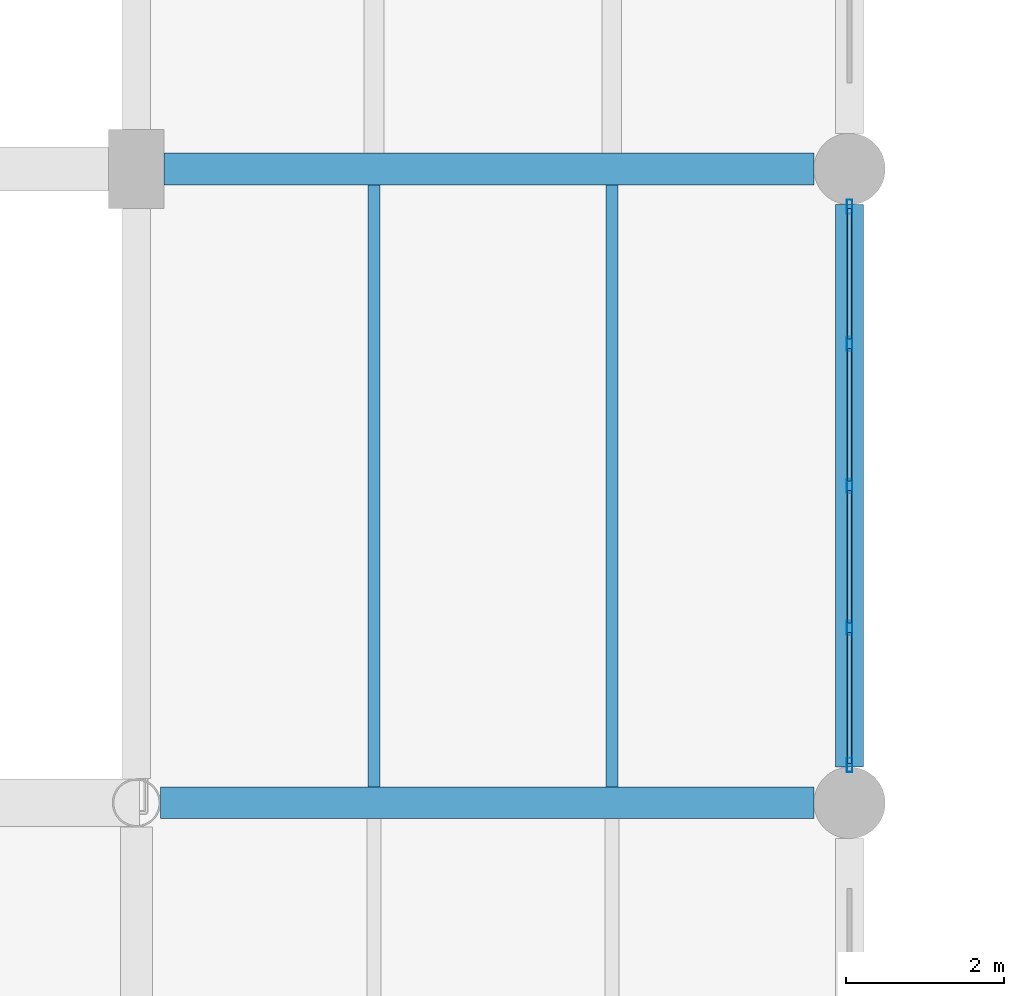
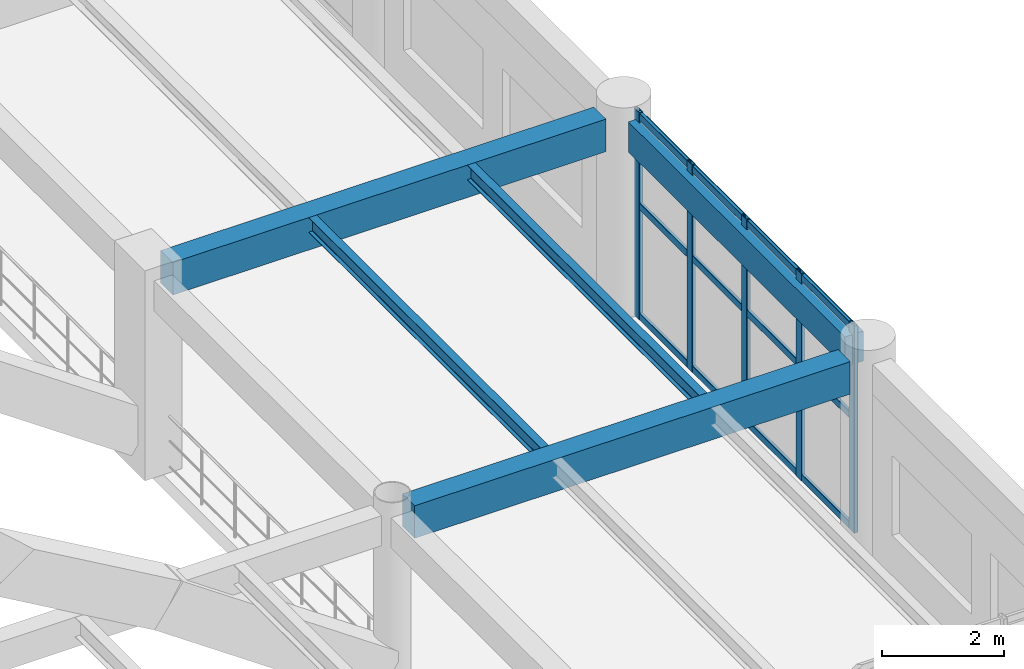
# One storey, part 46 of 148: 17 members, 5 beams, 1 element without a shape of its own.
"""IFC4 building model written with IfcOpenShell, lengths in metres."""

from ifc_helpers import new_model, si_unit, derived_unit, direction, frame, origin, origin_2d, place, context, subcontext, project, spatial, rectangle, hollow_rectangle, i_section, extrude, material, material_profile, profile_set, type_object, element, aggregate, save


model = new_model("IFC4")

# Units and contexts
model_context = context("Model", 3, precision=1e-05, world=origin(), true_north=direction((0.0, 1.0)))
body_context = subcontext(model_context, "Body", "Model", "MODEL_VIEW")
ifc_project = project(units=[si_unit("LENGTHUNIT", "METRE"), si_unit("AREAUNIT", "SQUARE_METRE"), si_unit("VOLUMEUNIT", "CUBIC_METRE"), si_unit("PLANEANGLEUNIT", "RADIAN"), si_unit("MASSUNIT", "GRAM", prefix="KILO"), derived_unit("THERMALTRANSMITTANCEUNIT", [(si_unit("MASSUNIT", "GRAM", prefix="KILO"), 1), (si_unit("TIMEUNIT", "SECOND"), -3), (si_unit("THERMODYNAMICTEMPERATUREUNIT", "KELVIN"), -1)])], contexts=[model_context])

# Site, building, storey
site_placement = place(None, origin())
site = spatial("IfcSite", under=ifc_project, at=site_placement, CompositionType="ELEMENT")
building_placement = place(site_placement, origin())
building = spatial("IfcBuilding", under=site, at=building_placement, Name="Zhenchuan Archway Interchange", CompositionType="ELEMENT")
storey_placement = place(building_placement, frame((0.0, 0.0, 10.199951171875)))
storey = spatial("IfcBuildingStorey", under=building, at=storey_placement, Name="L02", CompositionType="ELEMENT", Elevation=10.199951171875)

# Beams
ifc_material_1 = material(Name="Concrete C40", Category="concrete")
ifc_material_profile_1 = material_profile(ifc_material_1, rectangle(XDim=0.39990234375, YDim=0.64990234375, at=origin_2d()), Name="RC 400x650")
ifc_profile_set_1 = profile_set([ifc_material_profile_1], Name="Concrete C40")
beam_type_1 = type_object("IfcBeamType", Name="BM_RC_400x650", PredefinedType="BEAM", material=ifc_profile_set_1)
beam_1_placement = place(storey_placement, frame((63.304931640625, 32.0, 3.614990234375), z_axis=(1.0, 0.0, 0.0), x_axis=(0.0, 1.0, 0.0)))
element("IfcBeam", 1, at=beam_1_placement, inside=storey, type_object=beam_type_1, Name="Beam E:8-9 (L02)", PredefinedType="BEAM", context=body_context, shape_type="SweptSolid", body=[
    extrude(rectangle(XDim=0.39990234375, YDim=0.64990234375, at=origin_2d()), origin(), (0.0, 0.0, 1.0), 8.2451171875),
])
beam_2_placement = place(storey_placement, frame((63.35009765625, 40.0, 3.614990234375), z_axis=(1.0, 0.0, 0.0), x_axis=(0.0, 1.0, 0.0)))
element("IfcBeam", 2, at=beam_2_placement, inside=storey, type_object=beam_type_1, Name="Beam F:8-9 (L02)", PredefinedType="BEAM", context=body_context, shape_type="SweptSolid", body=[
    extrude(rectangle(XDim=0.39990234375, YDim=0.64990234375, at=origin_2d()), origin(), (0.0, 0.0, 1.0), 8.199951171875),
])

# Curtain wall, members
ifc_material_2 = material(Name="Anodised Aluminium", Category="aluminium")
curtain_wall_type = type_object("IfcCurtainWallType", Name="CW_UNIT_3", PredefinedType="NOTDEFINED", material=ifc_material_2)
curtain_wall_placement = place(storey_placement, origin())
curtain_wall = element("IfcCurtainWall", 3, at=curtain_wall_placement, inside=storey, type_object=curtain_wall_type, Name="Unitised curtain wall CW:L02:122", PredefinedType="NOTDEFINED")
ifc_material_profile_2 = material_profile(ifc_material_2, hollow_rectangle(XDim=0.070068359375, YDim=0.179931640625, WallThickness=0.00390625, InnerFilletRadius=0.00390625, OuterFilletRadius=0.008056640625, at=origin_2d()), Name="ALU 180x70x4")
ifc_profile_set_2 = profile_set([ifc_material_profile_2], Name="Anodised Aluminium")
member_type_1 = type_object("IfcMemberType", Name="CW_MUL_180", PredefinedType="MULLION", material=ifc_profile_set_2)
member_1_placement = place(storey_placement, frame((72.0, 39.52294921875, 0.0), z_axis=(0.0, 0.0, 1.0), x_axis=(1.0, 0.0, 0.0)))
member_1 = element("IfcMember", 4, at=member_1_placement, type_object=member_type_1, Name="CW:L02:122 mullion 0", PredefinedType="MULLION", context=body_context, shape_type="SweptSolid", body=[
    extrude(hollow_rectangle(XDim=0.070068359375, YDim=0.179931640625, WallThickness=0.00390625, InnerFilletRadius=0.00390625, OuterFilletRadius=0.008056640625, at=origin_2d()), origin(), (0.0, 0.0, 1.0), 4.14013671875),
])
member_2_placement = place(storey_placement, frame((72.0, 37.79150390625, 0.0), z_axis=(0.0, 0.0, 1.0), x_axis=(1.0, 0.0, 0.0)))
member_2 = element("IfcMember", 5, at=member_2_placement, type_object=member_type_1, Name="CW:L02:122 mullion 1", PredefinedType="MULLION", context=body_context, shape_type="SweptSolid", body=[
    extrude(hollow_rectangle(XDim=0.070068359375, YDim=0.179931640625, WallThickness=0.00390625, InnerFilletRadius=0.00390625, OuterFilletRadius=0.008056640625, at=origin_2d()), origin(), (0.0, 0.0, 1.0), 4.14013671875),
])
member_3_placement = place(storey_placement, frame((72.0, 36.0, 0.0), z_axis=(0.0, 0.0, 1.0), x_axis=(1.0, 0.0, 0.0)))
member_3 = element("IfcMember", 6, at=member_3_placement, type_object=member_type_1, Name="CW:L02:122 mullion 2", PredefinedType="MULLION", context=body_context, shape_type="SweptSolid", body=[
    extrude(hollow_rectangle(XDim=0.070068359375, YDim=0.179931640625, WallThickness=0.00390625, InnerFilletRadius=0.00390625, OuterFilletRadius=0.008056640625, at=origin_2d()), origin(), (0.0, 0.0, 1.0), 4.14013671875),
])
member_4_placement = place(storey_placement, frame((72.0, 34.20849609375, 0.0), z_axis=(0.0, 0.0, 1.0), x_axis=(1.0, 0.0, 0.0)))
member_4 = element("IfcMember", 7, at=member_4_placement, type_object=member_type_1, Name="CW:L02:122 mullion 3", PredefinedType="MULLION", context=body_context, shape_type="SweptSolid", body=[
    extrude(hollow_rectangle(XDim=0.070068359375, YDim=0.179931640625, WallThickness=0.00390625, InnerFilletRadius=0.00390625, OuterFilletRadius=0.008056640625, at=origin_2d()), origin(), (0.0, 0.0, 1.0), 4.14013671875),
])
member_5_placement = place(storey_placement, frame((72.0, 32.47705078125, 0.0), z_axis=(0.0, 0.0, 1.0), x_axis=(1.0, 0.0, 0.0)))
member_5 = element("IfcMember", 8, at=member_5_placement, type_object=member_type_1, Name="CW:L02:122 mullion 4", PredefinedType="MULLION", context=body_context, shape_type="SweptSolid", body=[
    extrude(hollow_rectangle(XDim=0.070068359375, YDim=0.179931640625, WallThickness=0.00390625, InnerFilletRadius=0.00390625, OuterFilletRadius=0.008056640625, at=origin_2d()), origin(), (0.0, 0.0, 1.0), 4.14013671875),
])
ifc_material_profile_3 = material_profile(ifc_material_2, hollow_rectangle(XDim=0.06005859375, YDim=0.139892578125, WallThickness=0.00341796875, InnerFilletRadius=0.00341796875, OuterFilletRadius=0.007080078125, at=origin_2d()), Name="ALU 140x60x3.5")
ifc_profile_set_3 = profile_set([ifc_material_profile_3], Name="Anodised Aluminium")
member_type_2 = type_object("IfcMemberType", Name="CW_TRN_140", PredefinedType="USERDEFINED", material=ifc_profile_set_3)
member_6_placement = place(storey_placement, frame((72.0, 39.5029296875, 0.06005859375), z_axis=(0.0, -1.0, 0.0), x_axis=(1.0, 0.0, 0.0)))
member_6 = element("IfcMember", 9, at=member_6_placement, type_object=member_type_2, Name="CW:L02:122 transom 0-1", ObjectType="TRANSOM", PredefinedType="USERDEFINED", context=body_context, shape_type="SweptSolid", body=[
    extrude(hollow_rectangle(XDim=0.06005859375, YDim=0.139892578125, WallThickness=0.00341796875, InnerFilletRadius=0.00341796875, OuterFilletRadius=0.007080078125, at=origin_2d()), origin(), (0.0, 0.0, 1.0), 1.6513671875),
])
member_7_placement = place(storey_placement, frame((72.0, 39.5029296875, 2.26611328125), z_axis=(0.0, -1.0, 0.0), x_axis=(1.0, 0.0, 0.0)))
member_7 = element("IfcMember", 10, at=member_7_placement, type_object=member_type_2, Name="CW:L02:122 transom 0-2", ObjectType="TRANSOM", PredefinedType="USERDEFINED", context=body_context, shape_type="SweptSolid", body=[
    extrude(hollow_rectangle(XDim=0.06005859375, YDim=0.139892578125, WallThickness=0.00341796875, InnerFilletRadius=0.00341796875, OuterFilletRadius=0.007080078125, at=origin_2d()), origin(), (0.0, 0.0, 1.0), 1.6513671875),
])
member_8_placement = place(storey_placement, frame((72.0, 39.5029296875, 4.06005859375), z_axis=(0.0, -1.0, 0.0), x_axis=(1.0, 0.0, 0.0)))
member_8 = element("IfcMember", 11, at=member_8_placement, type_object=member_type_2, Name="CW:L02:122 transom 0-3", ObjectType="TRANSOM", PredefinedType="USERDEFINED", context=body_context, shape_type="SweptSolid", body=[
    extrude(hollow_rectangle(XDim=0.06005859375, YDim=0.139892578125, WallThickness=0.00341796875, InnerFilletRadius=0.00341796875, OuterFilletRadius=0.007080078125, at=origin_2d()), origin(), (0.0, 0.0, 1.0), 1.6513671875),
])
member_9_placement = place(storey_placement, frame((72.0, 37.7314453125, 0.06005859375), z_axis=(0.0, -1.0, 0.0), x_axis=(1.0, 0.0, 0.0)))
member_9 = element("IfcMember", 12, at=member_9_placement, type_object=member_type_2, Name="CW:L02:122 transom 1-1", ObjectType="TRANSOM", PredefinedType="USERDEFINED", context=body_context, shape_type="SweptSolid", body=[
    extrude(hollow_rectangle(XDim=0.06005859375, YDim=0.139892578125, WallThickness=0.00341796875, InnerFilletRadius=0.00341796875, OuterFilletRadius=0.007080078125, at=origin_2d()), origin(), (0.0, 0.0, 1.0), 1.67138671875),
])
member_10_placement = place(storey_placement, frame((72.0, 37.7314453125, 2.26611328125), z_axis=(0.0, -1.0, 0.0), x_axis=(1.0, 0.0, 0.0)))
member_10 = element("IfcMember", 13, at=member_10_placement, type_object=member_type_2, Name="CW:L02:122 transom 1-2", ObjectType="TRANSOM", PredefinedType="USERDEFINED", context=body_context, shape_type="SweptSolid", body=[
    extrude(hollow_rectangle(XDim=0.06005859375, YDim=0.139892578125, WallThickness=0.00341796875, InnerFilletRadius=0.00341796875, OuterFilletRadius=0.007080078125, at=origin_2d()), origin(), (0.0, 0.0, 1.0), 1.67138671875),
])
member_11_placement = place(storey_placement, frame((72.0, 37.7314453125, 4.06005859375), z_axis=(0.0, -1.0, 0.0), x_axis=(1.0, 0.0, 0.0)))
member_11 = element("IfcMember", 14, at=member_11_placement, type_object=member_type_2, Name="CW:L02:122 transom 1-3", ObjectType="TRANSOM", PredefinedType="USERDEFINED", context=body_context, shape_type="SweptSolid", body=[
    extrude(hollow_rectangle(XDim=0.06005859375, YDim=0.139892578125, WallThickness=0.00341796875, InnerFilletRadius=0.00341796875, OuterFilletRadius=0.007080078125, at=origin_2d()), origin(), (0.0, 0.0, 1.0), 1.67138671875),
])
member_12_placement = place(storey_placement, frame((72.0, 35.93994140625, 0.06005859375), z_axis=(0.0, -1.0, 0.0), x_axis=(1.0, 0.0, 0.0)))
member_12 = element("IfcMember", 15, at=member_12_placement, type_object=member_type_2, Name="CW:L02:122 transom 2-1", ObjectType="TRANSOM", PredefinedType="USERDEFINED", context=body_context, shape_type="SweptSolid", body=[
    extrude(hollow_rectangle(XDim=0.06005859375, YDim=0.139892578125, WallThickness=0.00341796875, InnerFilletRadius=0.00341796875, OuterFilletRadius=0.007080078125, at=origin_2d()), origin(), (0.0, 0.0, 1.0), 1.67138671875),
])
member_13_placement = place(storey_placement, frame((72.0, 35.93994140625, 2.26611328125), z_axis=(0.0, -1.0, 0.0), x_axis=(1.0, 0.0, 0.0)))
member_13 = element("IfcMember", 16, at=member_13_placement, type_object=member_type_2, Name="CW:L02:122 transom 2-2", ObjectType="TRANSOM", PredefinedType="USERDEFINED", context=body_context, shape_type="SweptSolid", body=[
    extrude(hollow_rectangle(XDim=0.06005859375, YDim=0.139892578125, WallThickness=0.00341796875, InnerFilletRadius=0.00341796875, OuterFilletRadius=0.007080078125, at=origin_2d()), origin(), (0.0, 0.0, 1.0), 1.67138671875),
])
member_14_placement = place(storey_placement, frame((72.0, 35.93994140625, 4.06005859375), z_axis=(0.0, -1.0, 0.0), x_axis=(1.0, 0.0, 0.0)))
member_14 = element("IfcMember", 17, at=member_14_placement, type_object=member_type_2, Name="CW:L02:122 transom 2-3", ObjectType="TRANSOM", PredefinedType="USERDEFINED", context=body_context, shape_type="SweptSolid", body=[
    extrude(hollow_rectangle(XDim=0.06005859375, YDim=0.139892578125, WallThickness=0.00341796875, InnerFilletRadius=0.00341796875, OuterFilletRadius=0.007080078125, at=origin_2d()), origin(), (0.0, 0.0, 1.0), 1.67138671875),
])
member_15_placement = place(storey_placement, frame((72.0, 34.1484375, 0.06005859375), z_axis=(0.0, -1.0, 0.0), x_axis=(1.0, 0.0, 0.0)))
member_15 = element("IfcMember", 18, at=member_15_placement, type_object=member_type_2, Name="CW:L02:122 transom 3-1", ObjectType="TRANSOM", PredefinedType="USERDEFINED", context=body_context, shape_type="SweptSolid", body=[
    extrude(hollow_rectangle(XDim=0.06005859375, YDim=0.139892578125, WallThickness=0.00341796875, InnerFilletRadius=0.00341796875, OuterFilletRadius=0.007080078125, at=origin_2d()), origin(), (0.0, 0.0, 1.0), 1.6513671875),
])
member_16_placement = place(storey_placement, frame((72.0, 34.1484375, 2.26611328125), z_axis=(0.0, -1.0, 0.0), x_axis=(1.0, 0.0, 0.0)))
member_16 = element("IfcMember", 19, at=member_16_placement, type_object=member_type_2, Name="CW:L02:122 transom 3-2", ObjectType="TRANSOM", PredefinedType="USERDEFINED", context=body_context, shape_type="SweptSolid", body=[
    extrude(hollow_rectangle(XDim=0.06005859375, YDim=0.139892578125, WallThickness=0.00341796875, InnerFilletRadius=0.00341796875, OuterFilletRadius=0.007080078125, at=origin_2d()), origin(), (0.0, 0.0, 1.0), 1.6513671875),
])
member_17_placement = place(storey_placement, frame((72.0, 34.1484375, 4.06005859375), z_axis=(0.0, -1.0, 0.0), x_axis=(1.0, 0.0, 0.0)))
member_17 = element("IfcMember", 20, at=member_17_placement, type_object=member_type_2, Name="CW:L02:122 transom 3-3", ObjectType="TRANSOM", PredefinedType="USERDEFINED", context=body_context, shape_type="SweptSolid", body=[
    extrude(hollow_rectangle(XDim=0.06005859375, YDim=0.139892578125, WallThickness=0.00341796875, InnerFilletRadius=0.00341796875, OuterFilletRadius=0.007080078125, at=origin_2d()), origin(), (0.0, 0.0, 1.0), 1.6513671875),
])
aggregate(curtain_wall, [member_1, member_2, member_3, member_4, member_5, member_6, member_7, member_8, member_9, member_10, member_11, member_12, member_13, member_14, member_15, member_16, member_17])

# Beams
ifc_material_3 = material(Name="Steel Q355", Category="steel")
ifc_material_profile_4 = material_profile(ifc_material_3, i_section(OverallWidth=0.14990234375, OverallDepth=0.300048828125, WebThickness=0.006591796875, FlangeThickness=0.009033203125, FilletRadius=0.012939453125, at=origin_2d()), Name="HN 300x150")
ifc_profile_set_4 = profile_set([ifc_material_profile_4], Name="Steel Q355")
beam_type_2 = type_object("IfcBeamType", Name="JST_STL_HN300", PredefinedType="JOIST", material=ifc_profile_set_4)
for number, where, z_axis, x_axis, name in (
    (21, (66.0, 32.199951171875, 3.7900390625), (0.0, 1.0, 0.0), (-1.0, 0.0, 0.0), "Secondary joist 8-9/E-F #1 (L02)"),
    (22, (69.0, 32.199951171875, 3.7900390625), (0.0, 1.0, 0.0), (-1.0, 0.0, 0.0), "Secondary joist 8-9/E-F #2 (L02)"),
):
    element("IfcBeam", number, at=place(storey_placement, frame(where, z_axis=z_axis, x_axis=x_axis)), inside=storey, type_object=beam_type_2, Name=name, PredefinedType="JOIST", context=body_context, shape_type="SweptSolid", body=[
        extrude(i_section(OverallWidth=0.14990234375, OverallDepth=0.300048828125, WebThickness=0.006591796875, FlangeThickness=0.009033203125, FilletRadius=0.012939453125, at=origin_2d()), origin(), (0.0, 0.0, 1.0), 7.60009765625),
    ])
ifc_material_profile_5 = material_profile(ifc_material_1, rectangle(XDim=0.35009765625, YDim=0.60009765625, at=origin_2d()), Name="RC 350x600")
ifc_profile_set_5 = profile_set([ifc_material_profile_5], Name="Concrete C40")
beam_type_3 = type_object("IfcBeamType", Name="SP_RC_350x600", PredefinedType="SPANDREL", material=ifc_profile_set_5)
beam_3_placement = place(storey_placement, frame((72.0, 32.449951171875, 3.64013671875), z_axis=(0.0, 1.0, 0.0), x_axis=(-1.0, 0.0, 0.0)))
element("IfcBeam", 23, at=beam_3_placement, inside=storey, type_object=beam_type_3, Name="Beam 9:E-F (L02)", PredefinedType="SPANDREL", context=body_context, shape_type="SweptSolid", body=[
    extrude(rectangle(XDim=0.35009765625, YDim=0.60009765625, at=origin_2d()), origin(), (0.0, 0.0, 1.0), 7.10009765625),
])

save(model, "model.ifc")
